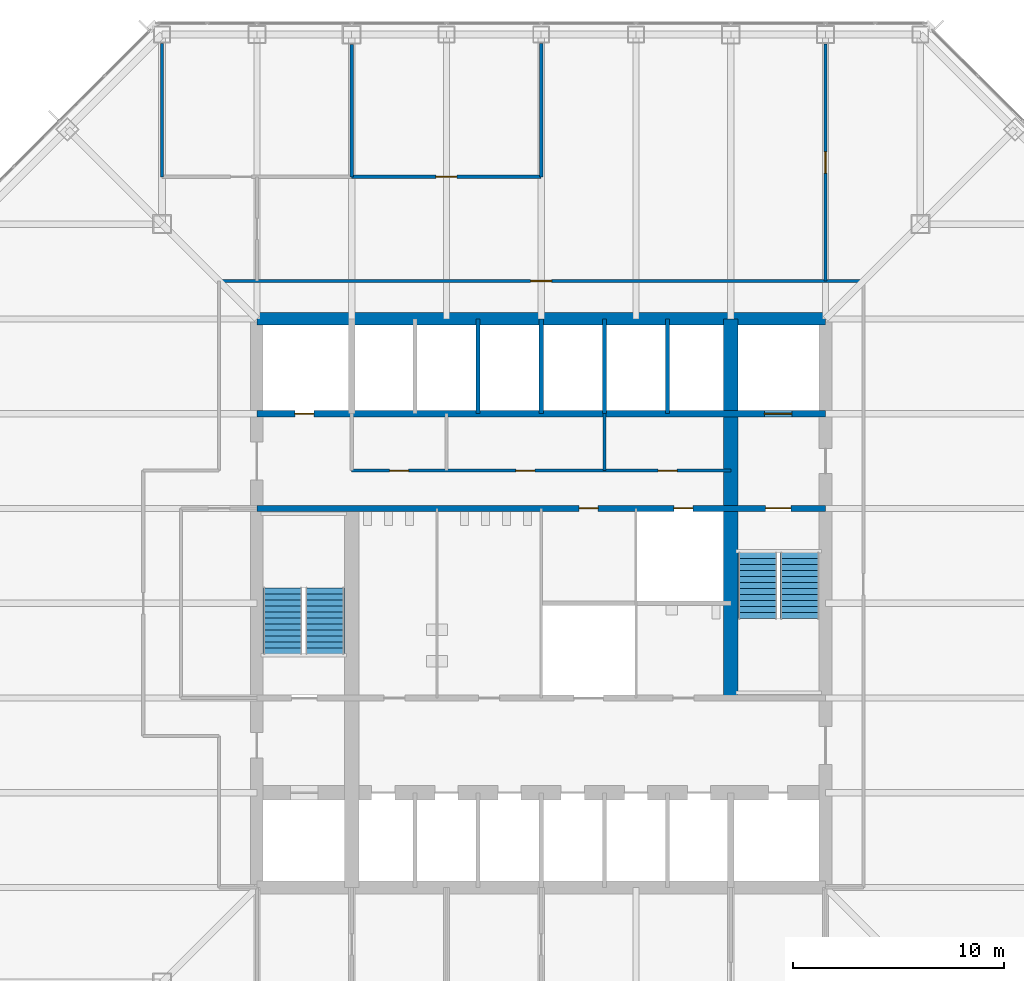
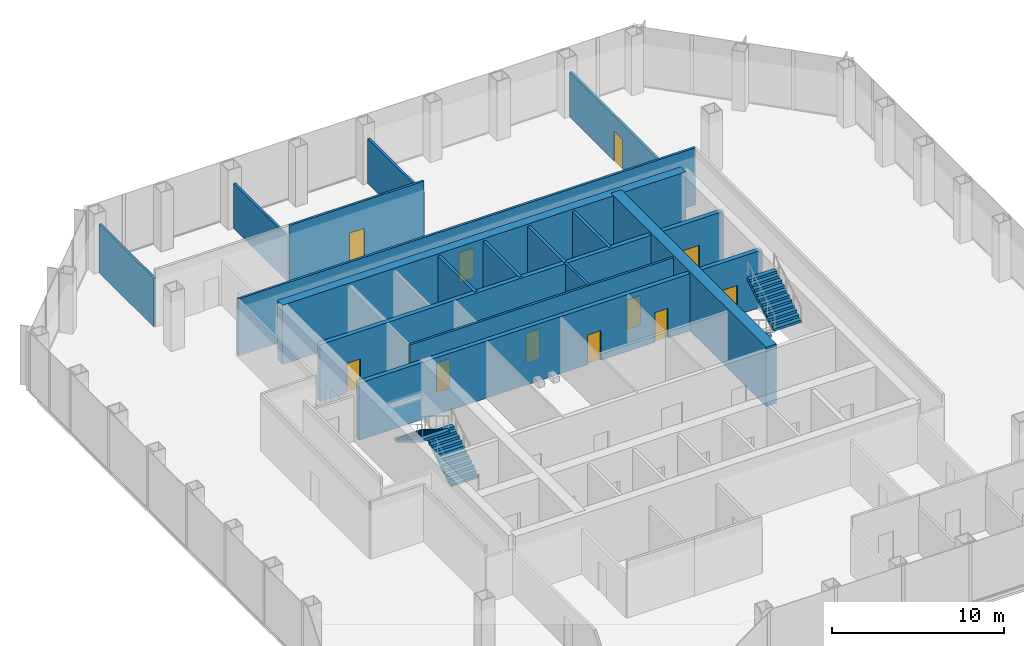
# One storey, part 10 of 12: 16 walls, 11 doors, 4 stair flights, 11 openings, 2 elements without a shape of their own.
"""IFC4 building model written with IfcOpenShell, lengths in metres."""

from ifc_helpers import new_model, si_unit, direction, frame, frame_2d, origin, place, context, subcontext, project, spatial, polyline, rectangle, outline, extrude, material, layer, layer_set, type_object, element, fill, aggregate, save


model = new_model("IFC4")

# Units and contexts
model_context = context("Model", 3, precision=1e-05, world=origin(), true_north=direction((0.0, 1.0)))
body_context = subcontext(model_context, "Body", "Model", "MODEL_VIEW")
ifc_project = project(units=[si_unit("LENGTHUNIT", "METRE"), si_unit("AREAUNIT", "SQUARE_METRE"), si_unit("VOLUMEUNIT", "CUBIC_METRE"), si_unit("PLANEANGLEUNIT", "RADIAN"), si_unit("MASSUNIT", "GRAM", prefix="KILO")], contexts=[model_context])

# Site, building, storey
site_placement = place(None, origin())
site = spatial("IfcSite", under=ifc_project, at=site_placement, CompositionType="ELEMENT")
building_placement = place(site_placement, origin())
building = spatial("IfcBuilding", under=site, at=building_placement, Name="Corais Broadcast Tower", CompositionType="ELEMENT")
storey_placement = place(building_placement, frame((0.0, 0.0, 45.800048828125)))
storey = spatial("IfcBuildingStorey", under=building, at=storey_placement, Name="L09", CompositionType="ELEMENT", Elevation=45.800048828125)

# Wall, openings, doors
ifc_material_1 = material(Name="Concrete blockwork class A, grouted, two-hour", Category="masonry")
ifc_layer_1 = layer(ifc_material_1, 0.300048828125)
ifc_layer_set_1 = layer_set([ifc_layer_1], Name="Concrete blockwork class A, grouted, two-hour")
wall_type_1 = type_object("IfcWallType", Name="Core lobby wall 300", PredefinedType="SOLIDWALL", material=ifc_layer_set_1)
wall_1_placement = place(storey_placement, frame((13.5, 31.5, 0.0), z_axis=(0.0, 0.0, 1.0), x_axis=(1.0, 0.0, 0.0)))
wall_1 = element("IfcWall", 1, at=wall_1_placement, inside=storey, type_object=wall_type_1, Name="CL1 core lobby wall Y315 L09", PredefinedType="SOLIDWALL", context=body_context, shape_type="SweptSolid", body=[
    extrude(rectangle(XDim=27.0, YDim=0.300048828125, at=frame_2d((13.5, 0.0))), origin(), (0.0, 0.0, 1.0), 4.0400390625),
])
opening_1_placement = place(wall_1_placement, frame((24.14990234375, 0.0, 0.0)))
opening_1 = element("IfcOpeningElement", 2, at=opening_1_placement, cuts=wall_1, Name="Opening FD1", PredefinedType="OPENING", context=body_context, shape_type="SweptSolid", body=[
    extrude(rectangle(XDim=1.199951171875, YDim=2.10009765625, at=frame_2d((0.60009765625, 1.050048828125))), frame((0.0, 0.159912109375, 0.0), z_axis=(0.0, -1.0, 0.0), x_axis=(1.0, 0.0, 0.0)), (0.0, 0.0, 1.0), 0.320068359375),
])
opening_2_placement = place(wall_1_placement, frame((15.300048828125, 0.0, 0.0)))
opening_2 = element("IfcOpeningElement", 3, at=opening_2_placement, cuts=wall_1, Name="Opening RD1", PredefinedType="OPENING", context=body_context, shape_type="SweptSolid", body=[
    extrude(rectangle(XDim=0.89990234375, YDim=2.10009765625, at=frame_2d((0.449951171875, 1.050048828125))), frame((0.0, 0.159912109375, 0.0), z_axis=(0.0, -1.0, 0.0), x_axis=(1.0, 0.0, 0.0)), (0.0, 0.0, 1.0), 0.320068359375),
])
opening_3_placement = place(wall_1_placement, frame((19.800048828125, 0.0, 0.0)))
opening_3 = element("IfcOpeningElement", 4, at=opening_3_placement, cuts=wall_1, Name="Opening RD1", PredefinedType="OPENING", context=body_context, shape_type="SweptSolid", body=[
    extrude(rectangle(XDim=0.89990234375, YDim=2.10009765625, at=frame_2d((0.449951171875, 1.050048828125))), frame((0.0, 0.159912109375, 0.0), z_axis=(0.0, -1.0, 0.0), x_axis=(1.0, 0.0, 0.0)), (0.0, 0.0, 1.0), 0.320068359375),
])
ifc_material_2 = material(Name="Steel fire door", Category="steel")
door_type_1 = type_object("IfcDoorType", Name="Fire door 1200x2100", OperationType="SINGLE_SWING_LEFT", PredefinedType="DOOR", material=ifc_material_2)
door_1_placement = place(opening_1_placement, origin())
door_1 = element("IfcDoor", 5, at=door_1_placement, inside=storey, type_object=door_type_1, Name="FD1 stair B door L09", OperationType="SINGLE_SWING_RIGHT", OverallHeight=2.10009765625, OverallWidth=1.199951171875, PredefinedType="DOOR", context=body_context, shape_type="SweptSolid", body=[
    extrude(rectangle(XDim=1.199951171875, YDim=2.10009765625, at=frame_2d((0.60009765625, 1.050048828125))), frame((0.0, 0.02490234375, 0.0), z_axis=(0.0, -1.0, 0.0), x_axis=(1.0, 0.0, 0.0)), (0.0, 0.0, 1.0), 0.050048828125),
])
fill(opening_1, door_1)
ifc_material_3 = material(Name="Steel fire door", Category="steel")
door_type_2 = type_object("IfcDoorType", Name="Riser door 900x2100", OperationType="SINGLE_SWING_LEFT", PredefinedType="DOOR", material=ifc_material_3)
door_2_placement = place(opening_2_placement, origin())
door_2 = element("IfcDoor", 6, at=door_2_placement, inside=storey, type_object=door_type_2, Name="RD1 vending room door L09", OperationType="SINGLE_SWING_RIGHT", OverallHeight=2.10009765625, OverallWidth=0.89990234375, PredefinedType="DOOR", context=body_context, shape_type="SweptSolid", body=[
    extrude(rectangle(XDim=0.89990234375, YDim=2.10009765625, at=frame_2d((0.449951171875, 1.050048828125))), frame((0.0, 0.02490234375, 0.0), z_axis=(0.0, -1.0, 0.0), x_axis=(1.0, 0.0, 0.0)), (0.0, 0.0, 1.0), 0.050048828125),
])
fill(opening_2, door_2)
door_3_placement = place(opening_3_placement, origin())
door_3 = element("IfcDoor", 7, at=door_3_placement, inside=storey, type_object=door_type_2, Name="RD1 riser door L09", OperationType="SINGLE_SWING_RIGHT", OverallHeight=2.10009765625, OverallWidth=0.89990234375, PredefinedType="DOOR", context=body_context, shape_type="SweptSolid", body=[
    extrude(rectangle(XDim=0.89990234375, YDim=2.10009765625, at=frame_2d((0.449951171875, 1.050048828125))), frame((0.0, 0.02490234375, 0.0), z_axis=(0.0, -1.0, 0.0), x_axis=(1.0, 0.0, 0.0)), (0.0, 0.0, 1.0), 0.050048828125),
])
fill(opening_3, door_3)

# Walls
ifc_material_4 = material(Name="Concrete C50/60", Category="concrete")
ifc_layer_2 = layer(ifc_material_4, 0.699951171875)
ifc_layer_set_2 = layer_set([ifc_layer_2], Name="Concrete C50/60")
wall_type_2 = type_object("IfcWallType", Name="Core spine wall 700", PredefinedType="SHEAR", material=ifc_layer_set_2)
wall_2_placement = place(storey_placement, frame((36.0, 22.5, 0.0), z_axis=(0.0, 0.0, 1.0), x_axis=(0.0, 1.0, 0.0)))
element("IfcWall", 8, at=wall_2_placement, inside=storey, type_object=wall_type_2, Name="CR700 core wall X36B L09", PredefinedType="SHEAR", context=body_context, shape_type="SweptSolid", body=[
    extrude(rectangle(XDim=18.0, YDim=0.699951171875, at=frame_2d((9.0, 0.0))), origin(), (0.0, 0.0, 1.0), 4.199951171875),
])
ifc_material_5 = material(Name="Concrete C50/60", Category="concrete")
ifc_layer_3 = layer(ifc_material_5, 0.60009765625)
ifc_layer_set_3 = layer_set([ifc_layer_3], Name="Concrete C50/60")
wall_type_3 = type_object("IfcWallType", Name="Core wall 600", PredefinedType="SHEAR", material=ifc_layer_set_3)
wall_3_placement = place(storey_placement, frame((40.5, 40.5, 0.0), z_axis=(0.0, 0.0, 1.0), x_axis=(-1.0, 0.0, 0.0)))
element("IfcWall", 9, at=wall_3_placement, inside=storey, type_object=wall_type_3, Name="CR600 core wall N L09", PredefinedType="SHEAR", context=body_context, shape_type="SweptSolid", body=[
    extrude(rectangle(XDim=27.0, YDim=0.60009765625, at=frame_2d((13.5, 0.0))), origin(), (0.0, 0.0, 1.0), 4.199951171875),
])

# Wall, openings, doors
ifc_material_6 = material(Name="Concrete blockwork class A, grouted, four-hour", Category="masonry")
ifc_layer_4 = layer(ifc_material_6, 0.300048828125)
ifc_layer_set_4 = layer_set([ifc_layer_4], Name="Concrete blockwork class A, grouted, four-hour")
wall_type_4 = type_object("IfcWallType", Name="Emergency lift shaft wall 300", PredefinedType="SOLIDWALL", material=ifc_layer_set_4)
wall_4_placement = place(storey_placement, frame((13.5, 36.0, 0.0), z_axis=(0.0, 0.0, 1.0), x_axis=(1.0, 0.0, 0.0)))
wall_4 = element("IfcWall", 10, at=wall_4_placement, inside=storey, type_object=wall_type_4, Name="LS1 core lobby wall Y36 L09", PredefinedType="SOLIDWALL", context=body_context, shape_type="SweptSolid", body=[
    extrude(rectangle(XDim=27.0, YDim=0.300048828125, at=frame_2d((13.5, 0.0))), origin(), (0.0, 0.0, 1.0), 4.0400390625),
])
opening_4_placement = place(wall_4_placement, frame((1.800048828125, 0.0, 0.0)))
opening_4 = element("IfcOpeningElement", 11, at=opening_4_placement, cuts=wall_4, Name="Opening RD1", PredefinedType="OPENING", context=body_context, shape_type="SweptSolid", body=[
    extrude(rectangle(XDim=0.89990234375, YDim=2.10009765625, at=frame_2d((0.449951171875, 1.050048828125))), frame((0.0, 0.159912109375, 0.0), z_axis=(0.0, -1.0, 0.0), x_axis=(1.0, 0.0, 0.0)), (0.0, 0.0, 1.0), 0.320068359375),
])
opening_5_placement = place(wall_4_placement, frame((24.10009765625, 0.0, 0.0)))
opening_5 = element("IfcOpeningElement", 12, at=opening_5_placement, cuts=wall_4, Name="Opening LD2", PredefinedType="OPENING", context=body_context, shape_type="SweptSolid", body=[
    extrude(rectangle(XDim=1.300048828125, YDim=2.199951171875, at=frame_2d((0.64990234375, 1.10009765625))), frame((0.0, 0.159912109375, 0.0), z_axis=(0.0, -1.0, 0.0), x_axis=(1.0, 0.0, 0.0)), (0.0, 0.0, 1.0), 0.320068359375),
])
ifc_material_7 = material(Name="Stainless steel lift door", Category="steel")
door_type_3 = type_object("IfcDoorType", Name="Lift landing door 1300x2200", OperationType="SLIDING_TO_LEFT", PredefinedType="DOOR", material=ifc_material_7)
door_4_placement = place(opening_5_placement, origin())
door_4 = element("IfcDoor", 13, at=door_4_placement, inside=storey, type_object=door_type_3, Name="LD2 FL2 landing door L09", OperationType="SLIDING_TO_LEFT", OverallHeight=2.199951171875, OverallWidth=1.300048828125, PredefinedType="DOOR", context=body_context, shape_type="SweptSolid", body=[
    extrude(rectangle(XDim=1.300048828125, YDim=2.199951171875, at=frame_2d((0.64990234375, 1.10009765625))), frame((0.0, 0.02490234375, 0.0), z_axis=(0.0, -1.0, 0.0), x_axis=(1.0, 0.0, 0.0)), (0.0, 0.0, 1.0), 0.050048828125),
])
fill(opening_5, door_4)
door_5_placement = place(opening_4_placement, origin())
door_5 = element("IfcDoor", 14, at=door_5_placement, inside=storey, type_object=door_type_2, Name="RD1 riser door L09", OperationType="SINGLE_SWING_LEFT", OverallHeight=2.10009765625, OverallWidth=0.89990234375, PredefinedType="DOOR", context=body_context, shape_type="SweptSolid", body=[
    extrude(rectangle(XDim=0.89990234375, YDim=2.10009765625, at=frame_2d((0.449951171875, 1.050048828125))), frame((0.0, 0.02490234375, 0.0), z_axis=(0.0, -1.0, 0.0), x_axis=(1.0, 0.0, 0.0)), (0.0, 0.0, 1.0), 0.050048828125),
])
fill(opening_4, door_5)

ifc_material_8 = material(Name="Two layers of fire-rated gypsum board each side on steel studs", Category="steel")
ifc_layer_5 = layer(ifc_material_8, 0.14990234375)
ifc_layer_set_5 = layer_set([ifc_layer_5], Name="Two layers of fire-rated gypsum board each side on steel studs")
wall_type_5 = type_object("IfcWallType", Name="Fire-rated partition 150 EI 60", PredefinedType="PARTITIONING", material=ifc_layer_set_5)
wall_5_placement = place(storey_placement, frame((18.0, 33.300048828125, 0.0), z_axis=(0.0, 0.0, 1.0), x_axis=(1.0, 0.0, 0.0)))
wall_5 = element("IfcWall", 15, at=wall_5_placement, inside=storey, type_object=wall_type_5, Name="IW7 partition L09", PredefinedType="PARTITIONING", context=body_context, shape_type="SweptSolid", body=[
    extrude(rectangle(XDim=18.0, YDim=0.14990234375, at=frame_2d((9.0, 0.0))), origin(), (0.0, 0.0, 1.0), 4.0400390625),
])
opening_6_placement = place(wall_5_placement, frame((1.800048828125, 0.0, 0.0)))
opening_6 = element("IfcOpeningElement", 16, at=opening_6_placement, cuts=wall_5, Name="Opening RD1", PredefinedType="OPENING", context=body_context, shape_type="SweptSolid", body=[
    extrude(rectangle(XDim=0.89990234375, YDim=2.10009765625, at=frame_2d((0.449951171875, 1.050048828125))), frame((0.0, 0.0849609375, 0.0), z_axis=(0.0, -1.0, 0.0), x_axis=(1.0, 0.0, 0.0)), (0.0, 0.0, 1.0), 0.169921875),
])
opening_7_placement = place(wall_5_placement, frame((7.800048828125, 0.0, 0.0)))
opening_7 = element("IfcOpeningElement", 17, at=opening_7_placement, cuts=wall_5, Name="Opening RD1", PredefinedType="OPENING", context=body_context, shape_type="SweptSolid", body=[
    extrude(rectangle(XDim=0.89990234375, YDim=2.10009765625, at=frame_2d((0.449951171875, 1.050048828125))), frame((0.0, 0.0849609375, 0.0), z_axis=(0.0, -1.0, 0.0), x_axis=(1.0, 0.0, 0.0)), (0.0, 0.0, 1.0), 0.169921875),
])
opening_8_placement = place(wall_5_placement, frame((14.550048828125, 0.0, 0.0)))
opening_8 = element("IfcOpeningElement", 18, at=opening_8_placement, cuts=wall_5, Name="Opening RD1", PredefinedType="OPENING", context=body_context, shape_type="SweptSolid", body=[
    extrude(rectangle(XDim=0.89990234375, YDim=2.10009765625, at=frame_2d((0.449951171875, 1.050048828125))), frame((0.0, 0.0849609375, 0.0), z_axis=(0.0, -1.0, 0.0), x_axis=(1.0, 0.0, 0.0)), (0.0, 0.0, 1.0), 0.169921875),
])
door_6_placement = place(opening_6_placement, origin())
door_6 = element("IfcDoor", 19, at=door_6_placement, inside=storey, type_object=door_type_2, Name="RD1 first aid room door L09", OperationType="SINGLE_SWING_LEFT", OverallHeight=2.10009765625, OverallWidth=0.89990234375, PredefinedType="DOOR", context=body_context, shape_type="SweptSolid", body=[
    extrude(rectangle(XDim=0.89990234375, YDim=2.10009765625, at=frame_2d((0.449951171875, 1.050048828125))), frame((0.0, 0.02490234375, 0.0), z_axis=(0.0, -1.0, 0.0), x_axis=(1.0, 0.0, 0.0)), (0.0, 0.0, 1.0), 0.050048828125),
])
fill(opening_6, door_6)
door_7_placement = place(opening_7_placement, origin())
door_7 = element("IfcDoor", 20, at=door_7_placement, inside=storey, type_object=door_type_2, Name="RD1 print room door L09", OperationType="SINGLE_SWING_LEFT", OverallHeight=2.10009765625, OverallWidth=0.89990234375, PredefinedType="DOOR", context=body_context, shape_type="SweptSolid", body=[
    extrude(rectangle(XDim=0.89990234375, YDim=2.10009765625, at=frame_2d((0.449951171875, 1.050048828125))), frame((0.0, 0.02490234375, 0.0), z_axis=(0.0, -1.0, 0.0), x_axis=(1.0, 0.0, 0.0)), (0.0, 0.0, 1.0), 0.050048828125),
])
fill(opening_7, door_7)
door_8_placement = place(opening_8_placement, origin())
door_8 = element("IfcDoor", 21, at=door_8_placement, inside=storey, type_object=door_type_2, Name="RD1 comms room door L09", OperationType="SINGLE_SWING_RIGHT", OverallHeight=2.10009765625, OverallWidth=0.89990234375, PredefinedType="DOOR", context=body_context, shape_type="SweptSolid", body=[
    extrude(rectangle(XDim=0.89990234375, YDim=2.10009765625, at=frame_2d((0.449951171875, 1.050048828125))), frame((0.0, 0.02490234375, 0.0), z_axis=(0.0, -1.0, 0.0), x_axis=(1.0, 0.0, 0.0)), (0.0, 0.0, 1.0), 0.050048828125),
])
fill(opening_8, door_8)

# Wall
wall_6_placement = place(storey_placement, frame((30.0, 33.300048828125, 0.0), z_axis=(0.0, 0.0, 1.0), x_axis=(0.0, 1.0, 0.0)))
element("IfcWall", 22, at=wall_6_placement, inside=storey, type_object=wall_type_5, Name="IW7 partition L09", PredefinedType="PARTITIONING", context=body_context, shape_type="SweptSolid", body=[
    extrude(rectangle(XDim=2.699951171875, YDim=0.14990234375, at=frame_2d((1.35009765625, 0.0))), origin(), (0.0, 0.0, 1.0), 4.0400390625),
])

# Wall, opening, door
ifc_material_9 = material(Name="Gypsum board on steel studs", Category="steel")
ifc_layer_6 = layer(ifc_material_9, 0.14990234375)
ifc_layer_set_6 = layer_set([ifc_layer_6], Name="Gypsum board on steel studs")
wall_type_6 = type_object("IfcWallType", Name="Partition 150", PredefinedType="PARTITIONING", material=ifc_layer_set_6)
wall_7_placement = place(storey_placement, frame((42.300048828125, 42.300048828125, 0.0), z_axis=(0.0, 0.0, 1.0), x_axis=(-1.0, 0.0, 0.0)))
wall_7 = element("IfcWall", 23, at=wall_7_placement, inside=storey, type_object=wall_type_6, Name="IW3 corridor wall L09", PredefinedType="PARTITIONING", context=body_context, shape_type="SweptSolid", body=[
    extrude(rectangle(XDim=30.60009765625, YDim=0.14990234375, at=frame_2d((15.300048828125, 0.0))), origin(), (0.0, 0.0, 1.0), 4.0400390625),
])
opening_9_placement = place(wall_7_placement, frame((14.800048828125, 0.0, 0.0)))
opening_9 = element("IfcOpeningElement", 24, at=opening_9_placement, cuts=wall_7, Name="Opening D1", PredefinedType="OPENING", context=body_context, shape_type="SweptSolid", body=[
    extrude(rectangle(XDim=1.0, YDim=2.10009765625, at=frame_2d((0.5, 1.050048828125))), frame((0.0, 0.0849609375, 0.0), z_axis=(0.0, -1.0, 0.0), x_axis=(1.0, 0.0, 0.0)), (0.0, 0.0, 1.0), 0.169921875),
])
ifc_material_10 = material(Name="Timber door", Category="wood")
door_type_4 = type_object("IfcDoorType", Name="Single door 1000x2100", OperationType="SINGLE_SWING_LEFT", PredefinedType="DOOR", material=ifc_material_10)
door_9_placement = place(opening_9_placement, origin())
door_9 = element("IfcDoor", 25, at=door_9_placement, inside=storey, type_object=door_type_4, Name="D1 workplace door L09", OperationType="SINGLE_SWING_LEFT", OverallHeight=2.10009765625, OverallWidth=1.0, PredefinedType="DOOR", context=body_context, shape_type="SweptSolid", body=[
    extrude(rectangle(XDim=1.0, YDim=2.10009765625, at=frame_2d((0.5, 1.050048828125))), frame((0.0, 0.02490234375, 0.0), z_axis=(0.0, -1.0, 0.0), x_axis=(1.0, 0.0, 0.0)), (0.0, 0.0, 1.0), 0.050048828125),
])
fill(opening_9, door_9)

# Walls
wall_8_placement = place(storey_placement, frame((18.0, 47.25, 0.0), z_axis=(0.0, 0.0, 1.0), x_axis=(0.0, 1.0, 0.0)))
element("IfcWall", 26, at=wall_8_placement, inside=storey, type_object=wall_type_6, Name="IW3 partition L09", PredefinedType="PARTITIONING", context=body_context, shape_type="SweptSolid", body=[
    extrude(rectangle(XDim=6.2900390625, YDim=0.14990234375, at=frame_2d((3.14501953125, 0.0))), origin(), (0.0, 0.0, 1.0), 3.18896484375),
])
wall_9_placement = place(storey_placement, frame((9.0, 53.590087890625, 0.0), z_axis=(0.0, 0.0, 1.0), x_axis=(0.0, -1.0, 0.0)))
element("IfcWall", 27, at=wall_9_placement, inside=storey, type_object=wall_type_6, Name="IW3 partition L09", PredefinedType="PARTITIONING", context=body_context, shape_type="SweptSolid", body=[
    extrude(rectangle(XDim=6.340087890625, YDim=0.14990234375, at=frame_2d((3.169921875, 0.0))), origin(), (0.0, 0.0, 1.0), 3.428955078125),
])

# Wall, opening, door
wall_10_placement = place(storey_placement, frame((18.0, 47.25, 0.0), z_axis=(0.0, 0.0, 1.0), x_axis=(1.0, 0.0, 0.0)))
wall_10 = element("IfcWall", 28, at=wall_10_placement, inside=storey, type_object=wall_type_6, Name="IW3 partition L09", PredefinedType="PARTITIONING", context=body_context, shape_type="SweptSolid", body=[
    extrude(rectangle(XDim=9.0, YDim=0.14990234375, at=frame_2d((4.5, 0.0))), origin(), (0.0, 0.0, 1.0), 4.0400390625),
])
opening_10_placement = place(wall_10_placement, frame((4.0, 0.0, 0.0)))
opening_10 = element("IfcOpeningElement", 29, at=opening_10_placement, cuts=wall_10, Name="Opening D1", PredefinedType="OPENING", context=body_context, shape_type="SweptSolid", body=[
    extrude(rectangle(XDim=1.0, YDim=2.10009765625, at=frame_2d((0.5, 1.050048828125))), frame((0.0, 0.0849609375, 0.0), z_axis=(0.0, -1.0, 0.0), x_axis=(1.0, 0.0, 0.0)), (0.0, 0.0, 1.0), 0.169921875),
])
door_10_placement = place(opening_10_placement, origin())
door_10 = element("IfcDoor", 30, at=door_10_placement, inside=storey, type_object=door_type_4, Name="D1 Graphics room door", OperationType="SINGLE_SWING_LEFT", OverallHeight=2.10009765625, OverallWidth=1.0, PredefinedType="DOOR", context=body_context, shape_type="SweptSolid", body=[
    extrude(rectangle(XDim=1.0, YDim=2.10009765625, at=frame_2d((0.5, 1.050048828125))), frame((0.0, 0.02490234375, 0.0), z_axis=(0.0, -1.0, 0.0), x_axis=(1.0, 0.0, 0.0)), (0.0, 0.0, 1.0), 0.050048828125),
])
fill(opening_10, door_10)

# Wall
wall_11_placement = place(storey_placement, frame((27.0, 47.25, 0.0), z_axis=(0.0, 0.0, 1.0), x_axis=(0.0, 1.0, 0.0)))
element("IfcWall", 31, at=wall_11_placement, inside=storey, type_object=wall_type_6, Name="IW3 partition L09", PredefinedType="PARTITIONING", context=body_context, shape_type="SweptSolid", body=[
    extrude(rectangle(XDim=6.340087890625, YDim=0.14990234375, at=frame_2d((3.169921875, 0.0))), origin(), (0.0, 0.0, 1.0), 3.18896484375),
])

# Wall, opening, door
wall_12_placement = place(storey_placement, frame((40.5, 53.554931640625, 0.0), z_axis=(0.0, 0.0, 1.0), x_axis=(0.0, -1.0, 0.0)))
wall_12 = element("IfcWall", 32, at=wall_12_placement, inside=storey, type_object=wall_type_6, Name="IW3 partition L09", PredefinedType="PARTITIONING", context=body_context, shape_type="SweptSolid", body=[
    extrude(rectangle(XDim=11.2548828125, YDim=0.14990234375, at=frame_2d((5.62744140625, 0.0))), origin(), (0.0, 0.0, 1.0), 3.18896484375),
])
opening_11_placement = place(wall_12_placement, frame((5.12744140625, 0.0, 0.0)))
opening_11 = element("IfcOpeningElement", 33, at=opening_11_placement, cuts=wall_12, Name="Opening D1", PredefinedType="OPENING", context=body_context, shape_type="SweptSolid", body=[
    extrude(rectangle(XDim=1.0, YDim=2.10009765625, at=frame_2d((0.5, 1.050048828125))), frame((0.0, 0.0849609375, 0.0), z_axis=(0.0, -1.0, 0.0), x_axis=(1.0, 0.0, 0.0)), (0.0, 0.0, 1.0), 0.169921875),
])
door_11_placement = place(opening_11_placement, origin())
door_11 = element("IfcDoor", 34, at=door_11_placement, inside=storey, type_object=door_type_4, Name="D1 team room door L09", OperationType="SINGLE_SWING_LEFT", OverallHeight=2.10009765625, OverallWidth=1.0, PredefinedType="DOOR", context=body_context, shape_type="SweptSolid", body=[
    extrude(rectangle(XDim=1.0, YDim=2.10009765625, at=frame_2d((0.5, 1.050048828125))), frame((0.0, 0.02490234375, 0.0), z_axis=(0.0, -1.0, 0.0), x_axis=(1.0, 0.0, 0.0)), (0.0, 0.0, 1.0), 0.050048828125),
])
fill(opening_11, door_11)

# Walls
ifc_material_11 = material(Name="Concrete blockwork class A, grouted, two-hour", Category="masonry")
ifc_layer_7 = layer(ifc_material_11, 0.199951171875)
ifc_layer_set_7 = layer_set([ifc_layer_7], Name="Concrete blockwork class A, grouted, two-hour")
wall_type_7 = type_object("IfcWallType", Name="Shaft wall 200", PredefinedType="PARTITIONING", material=ifc_layer_set_7)
for number, where, z_axis, x_axis, name in (
    (35, (24.0, 36.0, 0.0), (0.0, 0.0, 1.0), (0.0, 1.0, 0.0), "IW1 shaft wall L09"),
    (36, (27.0, 36.0, 0.0), (0.0, 0.0, 1.0), (0.0, 1.0, 0.0), "IW1 shaft wall L09"),
    (37, (30.0, 36.0, 0.0), (0.0, 0.0, 1.0), (0.0, 1.0, 0.0), "IW1 shaft wall L09"),
    (38, (33.0, 36.0, 0.0), (0.0, 0.0, 1.0), (0.0, 1.0, 0.0), "IW1 shaft wall L09"),
):
    element("IfcWall", number, at=place(storey_placement, frame(where, z_axis=z_axis, x_axis=x_axis)), inside=storey, type_object=wall_type_7, Name=name, PredefinedType="PARTITIONING", context=body_context, shape_type="SweptSolid", body=[
        extrude(rectangle(XDim=4.5, YDim=0.199951171875, at=frame_2d((2.25, 0.0))), origin(), (0.0, 0.0, 1.0), 4.0400390625),
    ])

# Stair, stair flights
ifc_material_12 = material(Name="Concrete C30/37", Category="concrete")
stair_type = type_object("IfcStairType", Name="Half-turn stair 4200", PredefinedType="HALF_TURN_STAIR", material=ifc_material_12)
stair_1_placement = place(storey_placement, origin())
stair_1 = element("IfcStair", 39, at=stair_1_placement, inside=storey, type_object=stair_type, Name="Stair A L09", PredefinedType="HALF_TURN_STAIR")
ifc_material_13 = material(Name="Concrete C30/37", Category="concrete")
stair_flight_type = type_object("IfcStairFlightType", Name="Stair flight 4200", PredefinedType="STRAIGHT", material=ifc_material_13)
stair_flight_1_placement = place(storey_placement, frame((16.72509765625, 24.60009765625, 0.0), z_axis=(0.0, 0.0, 1.0), x_axis=(0.0, 1.0, 0.0)))
stair_flight_1 = element("IfcStairFlight", 40, at=stair_flight_1_placement, type_object=stair_flight_type, Name="STA flight 1", NumberOfRisers=12, NumberOfTreads=11, PredefinedType="STRAIGHT", RiserHeight=0.175, TreadLength=0.285, context=body_context, shape_type="SweptSolid", body=[
    extrude(outline(polyline([(0.0, 0.0), (0.0, 0.175048828125), (0.284912109375, 0.175048828125), (0.284912109375, 0.35009765625), (0.570068359375, 0.35009765625), (0.570068359375, 0.52490234375), (0.85498046875, 0.52490234375), (0.85498046875, 0.699951171875), (1.139892578125, 0.699951171875), (1.139892578125, 0.875), (1.425048828125, 0.875), (1.425048828125, 1.050048828125), (1.7099609375, 1.050048828125), (1.7099609375, 1.22509765625), (1.9951171875, 1.22509765625), (1.9951171875, 1.39990234375), (2.280029296875, 1.39990234375), (2.280029296875, 1.574951171875), (2.56494140625, 1.574951171875), (2.56494140625, 1.75), (2.85009765625, 1.75), (2.85009765625, 1.925048828125), (3.135009765625, 1.925048828125), (3.135009765625, 2.10009765625), (3.135009765625, 1.7490234375), (0.286376953125, 0.0), (0.0, 0.0)])), frame((0.0, 0.925048828125, 0.0), z_axis=(0.0, -1.0, 0.0), x_axis=(1.0, 0.0, 0.0)), (0.0, 0.0, 1.0), 1.85009765625),
])
stair_flight_2_placement = place(storey_placement, frame((14.72509765625, 27.735107421875, 2.099853515625), z_axis=(0.0, 0.0, 1.0), x_axis=(0.0, -1.0, 0.0)))
stair_flight_2 = element("IfcStairFlight", 41, at=stair_flight_2_placement, type_object=stair_flight_type, Name="STA flight 2", NumberOfRisers=12, NumberOfTreads=11, PredefinedType="STRAIGHT", RiserHeight=0.175, TreadLength=0.285, context=body_context, shape_type="SweptSolid", body=[
    extrude(outline(polyline([(0.0, 0.0), (0.0, 0.175048828125), (0.284912109375, 0.175048828125), (0.284912109375, 0.35009765625), (0.570068359375, 0.35009765625), (0.570068359375, 0.52490234375), (0.85498046875, 0.52490234375), (0.85498046875, 0.699951171875), (1.139892578125, 0.699951171875), (1.139892578125, 0.875), (1.425048828125, 0.875), (1.425048828125, 1.050048828125), (1.7099609375, 1.050048828125), (1.7099609375, 1.22509765625), (1.9951171875, 1.22509765625), (1.9951171875, 1.39990234375), (2.280029296875, 1.39990234375), (2.280029296875, 1.574951171875), (2.56494140625, 1.574951171875), (2.56494140625, 1.75), (2.85009765625, 1.75), (2.85009765625, 1.925048828125), (3.135009765625, 1.925048828125), (3.135009765625, 2.10009765625), (3.135009765625, 1.7490234375), (0.286376953125, 0.0), (0.0, 0.0)])), frame((0.0, 0.925048828125, 0.0), z_axis=(0.0, -1.0, 0.0), x_axis=(1.0, 0.0, 0.0)), (0.0, 0.0, 1.0), 1.85009765625),
])
aggregate(stair_1, [stair_flight_1, stair_flight_2])

stair_2_placement = place(storey_placement, origin())
stair_2 = element("IfcStair", 42, at=stair_2_placement, inside=storey, type_object=stair_type, Name="Stair B L09", PredefinedType="HALF_TURN_STAIR")
stair_flight_3_placement = place(storey_placement, frame((37.27490234375, 29.39990234375, 0.0), z_axis=(0.0, 0.0, 1.0), x_axis=(0.0, -1.0, 0.0)))
stair_flight_3 = element("IfcStairFlight", 43, at=stair_flight_3_placement, type_object=stair_flight_type, Name="STB flight 1", NumberOfRisers=12, NumberOfTreads=11, PredefinedType="STRAIGHT", RiserHeight=0.175, TreadLength=0.285, context=body_context, shape_type="SweptSolid", body=[
    extrude(outline(polyline([(0.0, 0.0), (0.0, 0.175048828125), (0.284912109375, 0.175048828125), (0.284912109375, 0.35009765625), (0.570068359375, 0.35009765625), (0.570068359375, 0.52490234375), (0.85498046875, 0.52490234375), (0.85498046875, 0.699951171875), (1.139892578125, 0.699951171875), (1.139892578125, 0.875), (1.425048828125, 0.875), (1.425048828125, 1.050048828125), (1.7099609375, 1.050048828125), (1.7099609375, 1.22509765625), (1.9951171875, 1.22509765625), (1.9951171875, 1.39990234375), (2.280029296875, 1.39990234375), (2.280029296875, 1.574951171875), (2.56494140625, 1.574951171875), (2.56494140625, 1.75), (2.85009765625, 1.75), (2.85009765625, 1.925048828125), (3.135009765625, 1.925048828125), (3.135009765625, 2.10009765625), (3.135009765625, 1.7490234375), (0.286376953125, 0.0), (0.0, 0.0)])), frame((0.0, 0.925048828125, 0.0), z_axis=(0.0, -1.0, 0.0), x_axis=(1.0, 0.0, 0.0)), (0.0, 0.0, 1.0), 1.85009765625),
])
stair_flight_4_placement = place(storey_placement, frame((39.27490234375, 26.264892578125, 2.099853515625), z_axis=(0.0, 0.0, 1.0), x_axis=(0.0, 1.0, 0.0)))
stair_flight_4 = element("IfcStairFlight", 44, at=stair_flight_4_placement, type_object=stair_flight_type, Name="STB flight 2", NumberOfRisers=12, NumberOfTreads=11, PredefinedType="STRAIGHT", RiserHeight=0.175, TreadLength=0.285, context=body_context, shape_type="SweptSolid", body=[
    extrude(outline(polyline([(0.0, 0.0), (0.0, 0.175048828125), (0.284912109375, 0.175048828125), (0.284912109375, 0.35009765625), (0.570068359375, 0.35009765625), (0.570068359375, 0.52490234375), (0.85498046875, 0.52490234375), (0.85498046875, 0.699951171875), (1.139892578125, 0.699951171875), (1.139892578125, 0.875), (1.425048828125, 0.875), (1.425048828125, 1.050048828125), (1.7099609375, 1.050048828125), (1.7099609375, 1.22509765625), (1.9951171875, 1.22509765625), (1.9951171875, 1.39990234375), (2.280029296875, 1.39990234375), (2.280029296875, 1.574951171875), (2.56494140625, 1.574951171875), (2.56494140625, 1.75), (2.85009765625, 1.75), (2.85009765625, 1.925048828125), (3.135009765625, 1.925048828125), (3.135009765625, 2.10009765625), (3.135009765625, 1.7490234375), (0.286376953125, 0.0), (0.0, 0.0)])), frame((0.0, 0.925048828125, 0.0), z_axis=(0.0, -1.0, 0.0), x_axis=(1.0, 0.0, 0.0)), (0.0, 0.0, 1.0), 1.85009765625),
])
aggregate(stair_2, [stair_flight_3, stair_flight_4])

save(model, "model.ifc")
